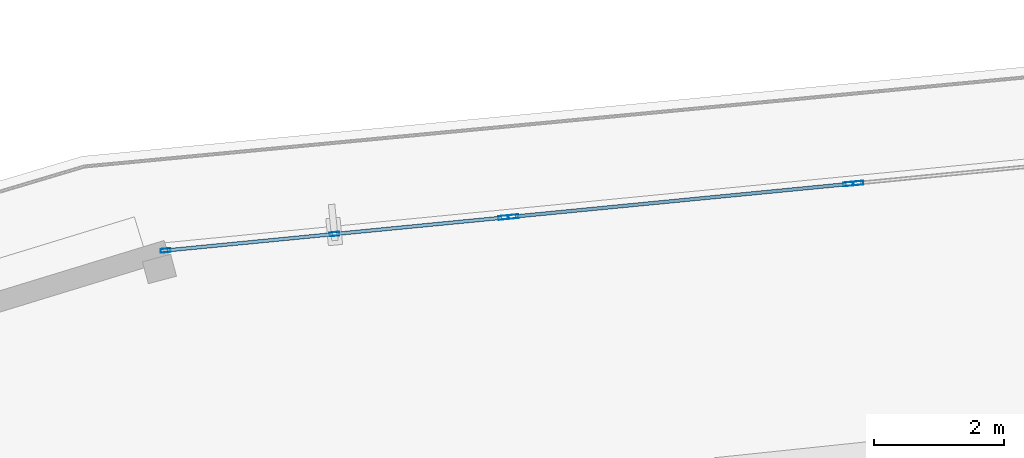
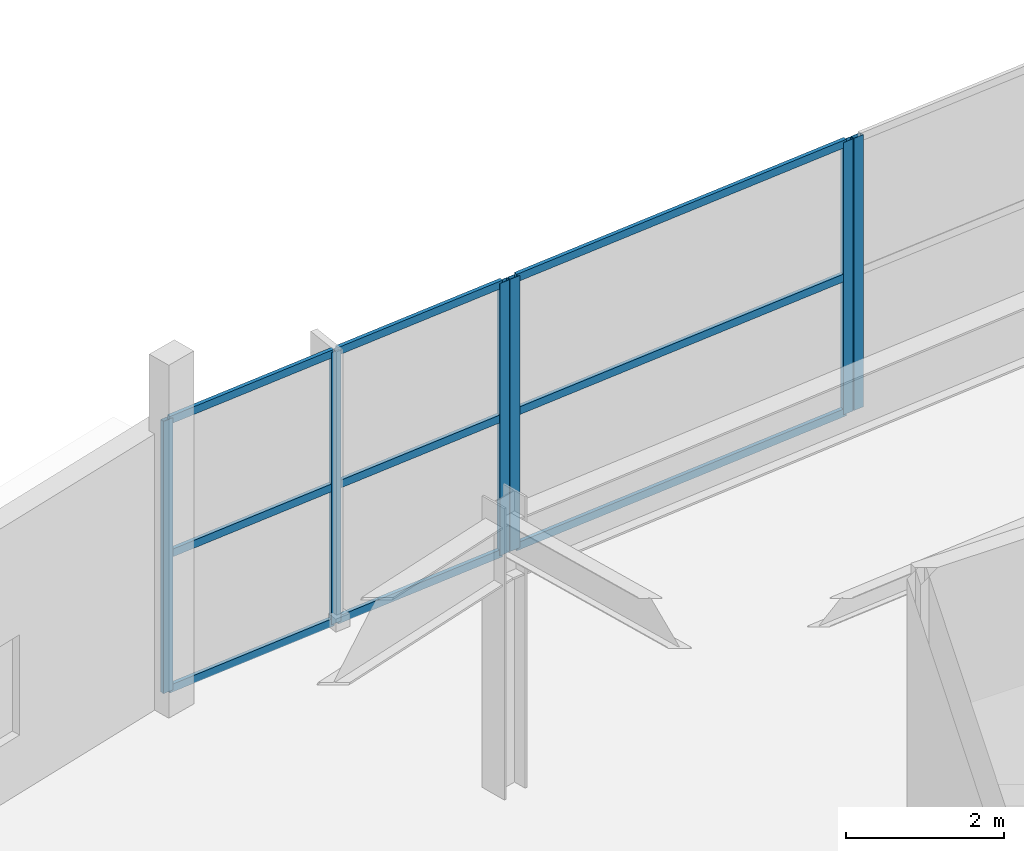
# One storey, part 50 of 123: 15 members, 3 elements without a shape of their own.
"""IFC4 building model written with IfcOpenShell, lengths in metres."""

from ifc_helpers import new_model, si_unit, direction, frame, origin, origin_2d, place, context, subcontext, project, spatial, hollow_rectangle, extrude, material, layer, layer_set, material_profile, profile_set, type_object, element, aggregate, save


model = new_model("IFC4")

# Units and contexts
model_context = context("Model", 3, precision=1e-05, world=origin(), true_north=direction((0.0, 1.0)))
body_context = subcontext(model_context, "Body", "Model", "MODEL_VIEW")
ifc_project = project(units=[si_unit("LENGTHUNIT", "METRE"), si_unit("AREAUNIT", "SQUARE_METRE"), si_unit("VOLUMEUNIT", "CUBIC_METRE"), si_unit("PLANEANGLEUNIT", "RADIAN"), si_unit("MASSUNIT", "GRAM", prefix="KILO")], contexts=[model_context])

# Site, building, storey
site_placement = place(None, origin())
site = spatial("IfcSite", under=ifc_project, at=site_placement, CompositionType="ELEMENT")
building_placement = place(site_placement, origin())
building = spatial("IfcBuilding", under=site, at=building_placement, Name="Kalgoora Escarpment Arena", CompositionType="ELEMENT")
storey_placement = place(building_placement, frame((0.0, 0.0, 9.89990234375)))
storey = spatial("IfcBuildingStorey", under=building, at=storey_placement, Name="L02", CompositionType="ELEMENT", Elevation=9.89990234375)

# Curtain wall, members
ifc_material_1 = material(Name=" Champagne anodised aluminium & double-glazed low-E", Category="aluminium")
ifc_layer_1 = layer(ifc_material_1, 0.154052734375)
ifc_layer_set_1 = layer_set([ifc_layer_1], Name="CW-UNIT-16")
curtain_wall_type_1 = type_object("IfcCurtainWallType", Name="CW-UNIT-16", PredefinedType="NOTDEFINED", material=ifc_layer_set_1)
curtain_wall_1_placement = place(storey_placement, origin())
curtain_wall_1 = element("IfcCurtainWall", 1, at=curtain_wall_1_placement, inside=storey, type_object=curtain_wall_type_1, Name="L02 unitised facade curtain wall 075", PredefinedType="NOTDEFINED")
ifc_material_2 = material(Name="Anodised aluminium 6063-T6", Category="aluminium")
ifc_material_profile_1 = material_profile(ifc_material_2, hollow_rectangle(XDim=0.06005859375, YDim=0.14990234375, WallThickness=0.00341796875, at=origin_2d()))
ifc_profile_set_1 = profile_set([ifc_material_profile_1], Name="Anodised aluminium 6063-T6")
member_type_1 = type_object("IfcMemberType", Name="MEM-CW-MULL-150", PredefinedType="MULLION", material=ifc_profile_set_1)
member_1_placement = place(storey_placement, frame((71.16748046875, 123.01318359375, 0.02001953125), z_axis=(0.0, 0.0, 1.0), x_axis=(-0.096853045283, 0.995298692664, 0.0)))
member_1 = element("IfcMember", 2, at=member_1_placement, type_object=member_type_1, Name="CW-16 mullion 1", PredefinedType="MULLION", context=body_context, shape_type="SweptSolid", body=[
    extrude(hollow_rectangle(XDim=0.06005859375, YDim=0.14990234375, WallThickness=0.00341796875, at=origin_2d()), origin(), (0.0, 0.0, 1.0), 4.205078125),
])
member_2_placement = place(storey_placement, frame((73.771728515625, 123.266845703125, 0.02001953125), z_axis=(0.0, 0.0, 1.0), x_axis=(-0.096853045283, 0.995298692664, 0.0)))
member_2 = element("IfcMember", 3, at=member_2_placement, type_object=member_type_1, Name="CW-16 mullion 2", PredefinedType="MULLION", context=body_context, shape_type="SweptSolid", body=[
    extrude(hollow_rectangle(XDim=0.06005859375, YDim=0.14990234375, WallThickness=0.00341796875, at=origin_2d()), origin(), (0.0, 0.0, 1.0), 4.205078125),
])
member_3_placement = place(storey_placement, frame((76.376220703125, 123.520263671875, 0.02001953125), z_axis=(0.0, 0.0, 1.0), x_axis=(-0.096853045283, 0.995298692664, 0.0)))
member_3 = element("IfcMember", 4, at=member_3_placement, type_object=member_type_1, Name="CW-16 mullion 3", PredefinedType="MULLION", context=body_context, shape_type="SweptSolid", body=[
    extrude(hollow_rectangle(XDim=0.06005859375, YDim=0.14990234375, WallThickness=0.00341796875, at=origin_2d()), origin(), (0.0, 0.0, 1.0), 4.205078125),
])

ifc_material_3 = material(Name=" Champagne anodised aluminium & double-glazed low-E", Category="aluminium")
ifc_layer_2 = layer(ifc_material_3, 0.157958984375)
ifc_layer_set_2 = layer_set([ifc_layer_2], Name="CW-UNIT-17")
curtain_wall_type_2 = type_object("IfcCurtainWallType", Name="CW-UNIT-17", PredefinedType="NOTDEFINED", material=ifc_layer_set_2)
curtain_wall_2_placement = place(storey_placement, origin())
curtain_wall_2 = element("IfcCurtainWall", 5, at=curtain_wall_2_placement, inside=storey, type_object=curtain_wall_type_2, Name="L02 unitised facade curtain wall 076", PredefinedType="NOTDEFINED")
member_4_placement = place(storey_placement, frame((76.53564453125, 123.53564453125, 0.02001953125), z_axis=(0.0, 0.0, 1.0), x_axis=(-0.096859909317, 0.995298024698, 0.0)))
member_4 = element("IfcMember", 6, at=member_4_placement, type_object=member_type_1, Name="CW-17 mullion 1", PredefinedType="MULLION", context=body_context, shape_type="SweptSolid", body=[
    extrude(hollow_rectangle(XDim=0.06005859375, YDim=0.14990234375, WallThickness=0.00341796875, at=origin_2d()), origin(), (0.0, 0.0, 1.0), 4.205078125),
])
member_5_placement = place(storey_placement, frame((81.69482421875, 124.037841796875, 0.02001953125), z_axis=(0.0, 0.0, 1.0), x_axis=(-0.096859909317, 0.995298024698, 0.0)))
member_5 = element("IfcMember", 7, at=member_5_placement, type_object=member_type_1, Name="CW-17 mullion 2", PredefinedType="MULLION", context=body_context, shape_type="SweptSolid", body=[
    extrude(hollow_rectangle(XDim=0.06005859375, YDim=0.14990234375, WallThickness=0.00341796875, at=origin_2d()), origin(), (0.0, 0.0, 1.0), 4.205078125),
])

# Curtain wall, member
ifc_material_4 = material(Name=" Champagne anodised aluminium & double-glazed low-E", Category="aluminium")
ifc_layer_3 = layer(ifc_material_4, 0.162109375)
ifc_layer_set_3 = layer_set([ifc_layer_3], Name="CW-UNIT-18")
curtain_wall_type_3 = type_object("IfcCurtainWallType", Name="CW-UNIT-18", PredefinedType="NOTDEFINED", material=ifc_layer_set_3)
curtain_wall_3_placement = place(storey_placement, origin())
curtain_wall_3 = element("IfcCurtainWall", 8, at=curtain_wall_3_placement, inside=storey, type_object=curtain_wall_type_3, Name="L02 unitised facade curtain wall 077", PredefinedType="NOTDEFINED")
member_6_placement = place(storey_placement, frame((81.854248046875, 124.05322265625, 0.02001953125), z_axis=(0.0, 0.0, 1.0), x_axis=(-0.096859909317, 0.995298024698, 0.0)))
member_6 = element("IfcMember", 9, at=member_6_placement, type_object=member_type_1, Name="CW-18 mullion 1", PredefinedType="MULLION", context=body_context, shape_type="SweptSolid", body=[
    extrude(hollow_rectangle(XDim=0.06005859375, YDim=0.14990234375, WallThickness=0.00341796875, at=origin_2d()), origin(), (0.0, 0.0, 1.0), 4.205078125),
])
aggregate(curtain_wall_3, [member_6])

# Member
ifc_material_5 = material(Name="Anodised aluminium 6063-T6", Category="aluminium")
ifc_material_profile_2 = material_profile(ifc_material_5, hollow_rectangle(XDim=0.054931640625, YDim=0.1201171875, WallThickness=0.003173828125, at=origin_2d()))
ifc_profile_set_2 = profile_set([ifc_material_profile_2], Name="Anodised aluminium 6063-T6")
member_type_2 = type_object("IfcMemberType", Name="MEM-CW-TRAN-120", PredefinedType="USERDEFINED", material=ifc_profile_set_2)
member_7_placement = place(storey_placement, frame((71.197265625, 123.01611328125, 0.047607421875), z_axis=(0.995291949192, 0.096922318759, 0.0), x_axis=(-0.096922318759, 0.995291949192, 0.0)))
member_7 = element("IfcMember", 10, at=member_7_placement, type_object=member_type_2, Name="CW-16 transom 1.1", ObjectType="TRANSOM", PredefinedType="USERDEFINED", context=body_context, shape_type="SweptSolid", body=[
    extrude(hollow_rectangle(XDim=0.054931640625, YDim=0.1201171875, WallThickness=0.003173828125, at=origin_2d()), origin(), (0.0, 0.0, 1.0), 2.556640625),
])

member_8_placement = place(storey_placement, frame((71.197265625, 123.01611328125, 2.132568359375), z_axis=(0.995291949192, 0.096922318759, 0.0), x_axis=(-0.096922318759, 0.995291949192, 0.0)))
member_8 = element("IfcMember", 11, at=member_8_placement, type_object=member_type_2, Name="CW-16 transom 1.2", ObjectType="TRANSOM", PredefinedType="USERDEFINED", context=body_context, shape_type="SweptSolid", body=[
    extrude(hollow_rectangle(XDim=0.054931640625, YDim=0.1201171875, WallThickness=0.003173828125, at=origin_2d()), origin(), (0.0, 0.0, 1.0), 2.556640625),
])

member_9_placement = place(storey_placement, frame((71.197265625, 123.01611328125, 4.197509765625), z_axis=(0.995291949192, 0.096922318759, 0.0), x_axis=(-0.096922318759, 0.995291949192, 0.0)))
member_9 = element("IfcMember", 12, at=member_9_placement, type_object=member_type_2, Name="CW-16 transom 1.3", ObjectType="TRANSOM", PredefinedType="USERDEFINED", context=body_context, shape_type="SweptSolid", body=[
    extrude(hollow_rectangle(XDim=0.054931640625, YDim=0.1201171875, WallThickness=0.003173828125, at=origin_2d()), origin(), (0.0, 0.0, 1.0), 2.556640625),
])

member_10_placement = place(storey_placement, frame((73.8017578125, 123.269775390625, 0.047607421875), z_axis=(0.995301156318, 0.096827724504, 0.0), x_axis=(-0.096827724504, 0.995301156318, 0.0)))
member_10 = element("IfcMember", 13, at=member_10_placement, type_object=member_type_2, Name="CW-16 transom 2.1", ObjectType="TRANSOM", PredefinedType="USERDEFINED", context=body_context, shape_type="SweptSolid", body=[
    extrude(hollow_rectangle(XDim=0.054931640625, YDim=0.1201171875, WallThickness=0.003173828125, at=origin_2d()), origin(), (0.0, 0.0, 1.0), 2.556640625),
])

member_11_placement = place(storey_placement, frame((73.8017578125, 123.269775390625, 2.132568359375), z_axis=(0.995301156318, 0.096827724504, 0.0), x_axis=(-0.096827724504, 0.995301156318, 0.0)))
member_11 = element("IfcMember", 14, at=member_11_placement, type_object=member_type_2, Name="CW-16 transom 2.2", ObjectType="TRANSOM", PredefinedType="USERDEFINED", context=body_context, shape_type="SweptSolid", body=[
    extrude(hollow_rectangle(XDim=0.054931640625, YDim=0.1201171875, WallThickness=0.003173828125, at=origin_2d()), origin(), (0.0, 0.0, 1.0), 2.556640625),
])

member_12_placement = place(storey_placement, frame((73.8017578125, 123.269775390625, 4.197509765625), z_axis=(0.995301156318, 0.096827724504, 0.0), x_axis=(-0.096827724504, 0.995301156318, 0.0)))
member_12 = element("IfcMember", 15, at=member_12_placement, type_object=member_type_2, Name="CW-16 transom 2.3", ObjectType="TRANSOM", PredefinedType="USERDEFINED", context=body_context, shape_type="SweptSolid", body=[
    extrude(hollow_rectangle(XDim=0.054931640625, YDim=0.1201171875, WallThickness=0.003173828125, at=origin_2d()), origin(), (0.0, 0.0, 1.0), 2.556640625),
])

aggregate(curtain_wall_1, [member_1, member_2, member_3, member_7, member_8, member_9, member_10, member_11, member_12])

member_13_placement = place(storey_placement, frame((76.5654296875, 123.53857421875, 0.047607421875), z_axis=(0.995296958049, 0.096870869193, 0.0), x_axis=(-0.096870869193, 0.995296958049, 0.0)))
member_13 = element("IfcMember", 16, at=member_13_placement, type_object=member_type_2, Name="CW-17 transom 1.1", ObjectType="TRANSOM", PredefinedType="USERDEFINED", context=body_context, shape_type="SweptSolid", body=[
    extrude(hollow_rectangle(XDim=0.054931640625, YDim=0.1201171875, WallThickness=0.003173828125, at=origin_2d()), origin(), (0.0, 0.0, 1.0), 5.123779296875),
])

member_14_placement = place(storey_placement, frame((76.5654296875, 123.53857421875, 2.132568359375), z_axis=(0.995296958049, 0.096870869193, 0.0), x_axis=(-0.096870869193, 0.995296958049, 0.0)))
member_14 = element("IfcMember", 17, at=member_14_placement, type_object=member_type_2, Name="CW-17 transom 1.2", ObjectType="TRANSOM", PredefinedType="USERDEFINED", context=body_context, shape_type="SweptSolid", body=[
    extrude(hollow_rectangle(XDim=0.054931640625, YDim=0.1201171875, WallThickness=0.003173828125, at=origin_2d()), origin(), (0.0, 0.0, 1.0), 5.123779296875),
])

member_15_placement = place(storey_placement, frame((76.5654296875, 123.53857421875, 4.197509765625), z_axis=(0.995296958049, 0.096870869193, 0.0), x_axis=(-0.096870869193, 0.995296958049, 0.0)))
member_15 = element("IfcMember", 18, at=member_15_placement, type_object=member_type_2, Name="CW-17 transom 1.3", ObjectType="TRANSOM", PredefinedType="USERDEFINED", context=body_context, shape_type="SweptSolid", body=[
    extrude(hollow_rectangle(XDim=0.054931640625, YDim=0.1201171875, WallThickness=0.003173828125, at=origin_2d()), origin(), (0.0, 0.0, 1.0), 5.123779296875),
])

aggregate(curtain_wall_2, [member_4, member_5, member_13, member_14, member_15])

save(model, "model.ifc")
